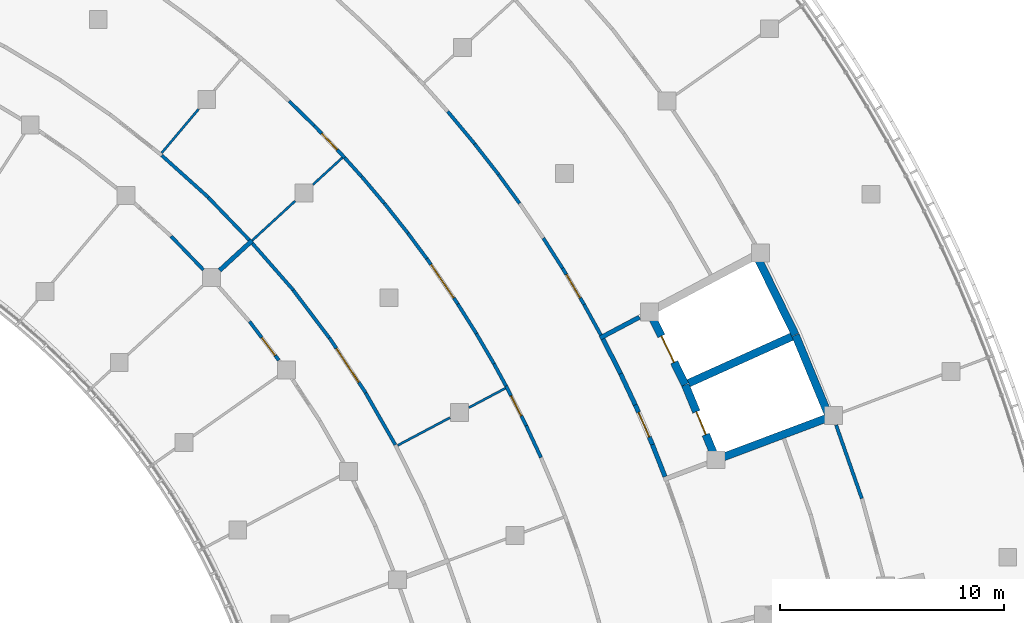
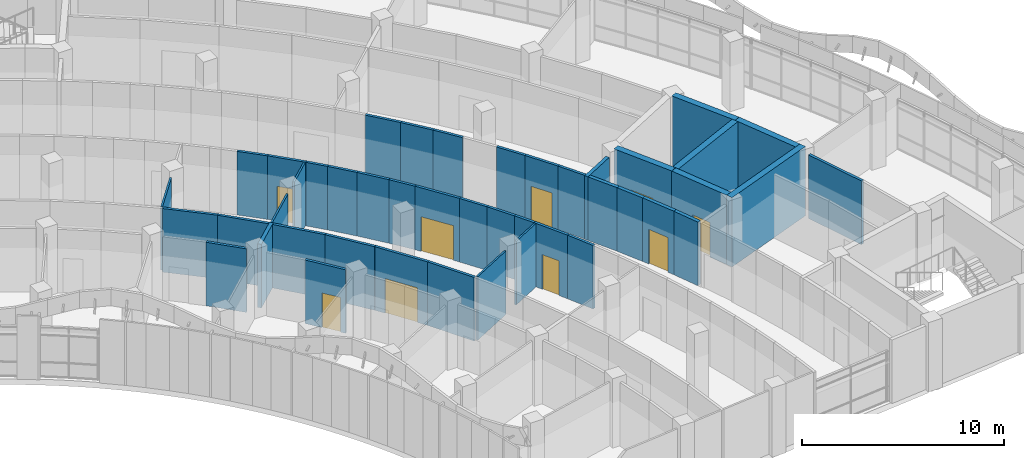
# One storey, part 49 of 109: 44 walls, 9 doors, 9 openings.
"""IFC4 building model written with IfcOpenShell, lengths in metres."""

import ifcopenshell
import ifcopenshell.guid

model = None  # the IFC model being written
_history = None  # IfcOwnerHistory: only IFC2X3 demands one
_inside = {}  # id of a spatial element -> (the spatial element, [elements in it])
_under = {}  # id of a project, library or spatial element -> (it, [spatial elements below it])
_declared = {}  # id of a project -> (the project, [libraries it declares])
_typed = {}  # id of a type object -> (the type object, [elements of that type])
_made_of = {}  # id of a material, layer set ... -> (it, [elements and type objects made of it])


def new_model(schema):
    """Start an empty IFC model of exactly this schema.

    Asked for "IFC4X3", IfcOpenShell would pick the latest addendum, in which some entities
    have other attributes; the version numbers below select the first issue.
    IFC2X3 requires an IfcOwnerHistory on every rooted entity: one is made here for all.
    """
    global model, _history
    if schema == "IFC4X3":
        model = ifcopenshell.file(schema_version=(4, 3, 0, 0))
    else:
        model = ifcopenshell.file(schema=schema)
    _inside.clear()
    _under.clear()
    _declared.clear()
    _typed.clear()
    _made_of.clear()
    _history = None
    if model.schema == "IFC2X3":
        org = make("IfcOrganization", Name="unknown")
        user = make(
            "IfcPersonAndOrganization",
            ThePerson=make("IfcPerson", FamilyName="unknown"),
            TheOrganization=org,
        )
        app = make(
            "IfcApplication",
            ApplicationDeveloper=org,
            Version="unknown",
            ApplicationFullName="unknown",
            ApplicationIdentifier="unknown",
        )
        _history = make(
            "IfcOwnerHistory",
            OwningUser=user,
            OwningApplication=app,
            ChangeAction="ADDED",
            CreationDate=0,
        )
    return model


def make(cls, **values):
    """One entity of the class cls with the attributes given. An attribute that is None is left unset."""
    return model.create_entity(
        cls, **{name: value for name, value in values.items() if value is not None}
    )


def rooted(cls, **values):
    """An entity with a GlobalId (a new one), such as an element, a storey or a relation."""
    return make(cls, GlobalId=ifcopenshell.guid.new(), OwnerHistory=_history, **values)


def si_unit(unit_type, name, prefix=None):
    """IfcSIUnit, for example si_unit("LENGTHUNIT", "METRE", prefix="MILLI")."""
    return make("IfcSIUnit", UnitType=unit_type, Prefix=prefix, Name=name)


def assignment(units):
    """IfcUnitAssignment: the units of a project."""
    return None if units is None else make("IfcUnitAssignment", Units=units)


def point(xyz):
    """IfcCartesianPoint."""
    return None if xyz is None else make("IfcCartesianPoint", Coordinates=xyz)


def direction(xyz):
    """IfcDirection."""
    return None if xyz is None else make("IfcDirection", DirectionRatios=xyz)


def frame(location, z_axis=None, x_axis=None):
    """IfcAxis2Placement3D, a coordinate frame: its origin and axes. An axis left out is left unset."""
    return make(
        "IfcAxis2Placement3D",
        Location=point(location),
        Axis=direction(z_axis),
        RefDirection=direction(x_axis),
    )


def frame_2d(location, x_axis=None):
    """IfcAxis2Placement2D, a coordinate frame in the plane: its origin and x axis."""
    return make(
        "IfcAxis2Placement2D", Location=point(location), RefDirection=direction(x_axis)
    )


def origin():
    """The frame at (0, 0, 0) with its axes left unset."""
    return frame((0.0, 0.0, 0.0))


def place(relative_to, where):
    """IfcLocalPlacement: puts the frame where relative to a parent placement (None: the world)."""
    return make(
        "IfcLocalPlacement", PlacementRelTo=relative_to, RelativePlacement=where
    )


def context(
    kind, dimensions, precision=None, world=None, true_north=None, identifier=None
):
    """IfcGeometricRepresentationContext, for example the 3D "Model" context."""
    return make(
        "IfcGeometricRepresentationContext",
        ContextIdentifier=identifier,
        ContextType=kind,
        CoordinateSpaceDimension=dimensions,
        Precision=precision,
        WorldCoordinateSystem=world,
        TrueNorth=true_north,
    )


def subcontext(parent, identifier, kind, view, scale=None):
    """IfcGeometricRepresentationSubContext, for example "Body" below "Model"."""
    return make(
        "IfcGeometricRepresentationSubContext",
        ContextIdentifier=identifier,
        ContextType=kind,
        ParentContext=parent,
        TargetScale=scale,
        TargetView=view,
    )


def project(units=None, contexts=None):
    """IfcProject with its units and contexts."""
    return rooted(
        "IfcProject",
        Name="project",
        RepresentationContexts=contexts,
        UnitsInContext=assignment(units),
    )


def spatial(cls, under=None, at=None, **own):
    """A site, building, storey or space (cls), placed at a placement, below another one or the project."""
    s = rooted(cls, ObjectPlacement=at, **own)
    if under is not None:
        _under.setdefault(under.id(), (under, []))[1].append(s)
    return s


def profile(cls, at=None, kind="AREA", **sizes):
    """A parametric profile (cls). Its sizes go by their IFC names, for example OverallWidth=200.0."""
    return make(cls, ProfileType=kind, Position=at, **sizes)


def rectangle(**sizes):
    """IfcRectangleProfileDef."""
    return profile("IfcRectangleProfileDef", **sizes)


def extrude(swept, where, along, depth):
    """IfcExtrudedAreaSolid: the profile swept, set in the frame where, extruded along a direction by depth."""
    return make(
        "IfcExtrudedAreaSolid",
        SweptArea=swept,
        Position=where,
        ExtrudedDirection=direction(along),
        Depth=depth,
    )


def shape(context_of_items, identifier, shape_type, items):
    """IfcShapeRepresentation: the items that make up one representation, for example the "Body"."""
    return make(
        "IfcShapeRepresentation",
        ContextOfItems=context_of_items,
        RepresentationIdentifier=identifier,
        RepresentationType=shape_type,
        Items=items,
    )


def material(Name=None, Category=None):
    """IfcMaterial."""
    return make("IfcMaterial", Name=Name, Category=Category)


def layer(
    of_material, thickness, ventilated=None, Name=None, Category=None, Priority=None
):
    """IfcMaterialLayer: one layer of a wall or slab, of a material (None: an air gap)."""
    return make(
        "IfcMaterialLayer",
        Material=of_material,
        LayerThickness=thickness,
        IsVentilated=ventilated,
        Name=Name,
        Category=Category,
        Priority=Priority,
    )


def layer_set(layers, Name=None):
    """IfcMaterialLayerSet."""
    return make("IfcMaterialLayerSet", MaterialLayers=layers, LayerSetName=Name)


def made_of(thing, what):
    """Note that an element or type object is made of a material, layer set ...; save() writes the relation."""
    if what is not None:
        _made_of.setdefault(what.id(), (what, []))[1].append(thing)
    return thing


def type_object(cls, material=None, **own):
    """A type object (cls), such as IfcWallType, which elements share."""
    return made_of(rooted(cls, **own), material)


def element(
    cls,
    number,
    at=None,
    inside=None,
    cuts=None,
    type_object=None,
    material=None,
    context=None,
    identifier="Body",
    shape_type=None,
    held_by="IfcProductDefinitionShape",
    body=None,
    shapes=None,
    **own,
):
    """One element of the class cls, such as IfcWall. Its Tag is "e" and its number.

    at: its placement. inside: the storey or other place that contains it. cuts: it is an
    opening in that element (IfcRelVoidsElement). A single representation is given by context,
    identifier, shape_type and body (its items); several are given by shapes. held_by: the class
    of the entity that holds the representations. save() writes the other relations.
    """
    e = rooted(cls, Tag="e%d" % number, ObjectPlacement=at, **own)
    if body is not None:
        shapes = [shape(context, identifier, shape_type, body)]
    if shapes is not None:
        e.Representation = make(held_by, Representations=shapes)
    if inside is not None:
        _inside.setdefault(inside.id(), (inside, []))[1].append(e)
    if cuts is not None:
        rooted(
            "IfcRelVoidsElement", RelatingBuildingElement=cuts, RelatedOpeningElement=e
        )
    if type_object is not None:
        _typed.setdefault(type_object.id(), (type_object, []))[1].append(e)
    return made_of(e, material)


def fill(opening, filler):
    """IfcRelFillsElement: the door or window that sits in an opening."""
    return rooted(
        "IfcRelFillsElement",
        RelatingOpeningElement=opening,
        RelatedBuildingElement=filler,
    )


def aggregate(whole, parts):
    """IfcRelAggregates: a whole, such as a stair, and the parts it consists of."""
    return rooted("IfcRelAggregates", RelatingObject=whole, RelatedObjects=parts)


def save(model, path):
    """Write the relations noted so far, then the file.

    IfcRelAggregates (storeys below a building ...), IfcRelContainedInSpatialStructure (elements
    in a storey), IfcRelDefinesByType, IfcRelAssociatesMaterial and IfcRelDeclares: one each for
    every whole, place, type object, material and project.
    """
    for whole, parts in _under.values():
        aggregate(whole, parts)
    for where, things in _inside.values():
        rooted(
            "IfcRelContainedInSpatialStructure",
            RelatedElements=things,
            RelatingStructure=where,
        )
    for kind, things in _typed.values():
        rooted("IfcRelDefinesByType", RelatedObjects=things, RelatingType=kind)
    for what, things in _made_of.values():
        rooted("IfcRelAssociatesMaterial", RelatedObjects=things, RelatingMaterial=what)
    for by, libraries in _declared.values():
        rooted("IfcRelDeclares", RelatingContext=by, RelatedDefinitions=libraries)
    model.write(path)


model = new_model("IFC4")

# Units and contexts
model_context = context("Model", 3, precision=1e-05, world=origin(), true_north=direction((0.0, 1.0)))
body_context = subcontext(model_context, "Body", "Model", "MODEL_VIEW")
ifc_project = project(units=[si_unit("LENGTHUNIT", "METRE"), si_unit("AREAUNIT", "SQUARE_METRE"), si_unit("VOLUMEUNIT", "CUBIC_METRE"), si_unit("PLANEANGLEUNIT", "RADIAN"), si_unit("MASSUNIT", "GRAM", prefix="KILO")], contexts=[model_context])

# Site, building, storey
site_placement = place(None, origin())
site = spatial("IfcSite", under=ifc_project, at=site_placement, CompositionType="ELEMENT")
building_placement = place(site_placement, origin())
building = spatial("IfcBuilding", under=site, at=building_placement, Name="Bougainvillea Quay General Hospital", CompositionType="ELEMENT")
storey_placement = place(building_placement, frame((0.0, 0.0, 12.60009765625)))
storey = spatial("IfcBuildingStorey", under=building, at=storey_placement, Name="L02", CompositionType="ELEMENT", Elevation=12.60009765625)

# Walls
ifc_material_1 = material(Name="Gypsum board partition on steel studs", Category="steel")
ifc_layer_1 = layer(ifc_material_1, 0.10009765625)
ifc_layer_set_1 = layer_set([ifc_layer_1], Name="Gypsum board partition on steel studs")
wall_type_1 = type_object("IfcWallType", Name="Partition 100 Gypsum board partition EI 30", PredefinedType="PARTITIONING", material=ifc_layer_set_1)
wall_1_placement = place(storey_placement, frame((141.64501953125, 51.797607421875, 0.0), z_axis=(0.0, 0.0, 1.0), x_axis=(0.73658314114, 0.676347008709, 0.0)))
element("IfcWall", 1, at=wall_1_placement, inside=storey, type_object=wall_type_1, Name="Partition 100 mm EI 30", PredefinedType="PARTITIONING", context=body_context, shape_type="SweptSolid", body=[
    extrude(rectangle(XDim=2.610107421875, YDim=0.10009765625, at=frame_2d((1.30517578125, 0.0))), origin(), (0.0, 0.0, 1.0), 3.849853515625),
])
wall_2_placement = place(storey_placement, frame((144.3603515625, 54.291015625, 0.0), z_axis=(0.0, 0.0, 1.0), x_axis=(0.736578706187, 0.676351838611, 0.0)))
element("IfcWall", 2, at=wall_2_placement, inside=storey, type_object=wall_type_1, Name="Partition 100 mm EI 30", PredefinedType="PARTITIONING", context=body_context, shape_type="SweptSolid", body=[
    extrude(rectangle(XDim=1.779541015625, YDim=0.10009765625, at=frame_2d((0.8896484375, 0.0))), origin(), (0.0, 0.0, 1.0), 3.849853515625),
])
wall_3_placement = place(storey_placement, frame((148.138671875, 42.65185546875, 0.0), z_axis=(0.0, 0.0, 1.0), x_axis=(0.883500310686, 0.468430572249, 0.0)))
element("IfcWall", 3, at=wall_3_placement, inside=storey, type_object=wall_type_1, Name="Partition 100 mm EI 30", PredefinedType="PARTITIONING", context=body_context, shape_type="SweptSolid", body=[
    extrude(rectangle(XDim=2.64453125, YDim=0.10009765625, at=frame_2d((1.322265625, 0.0))), origin(), (0.0, 0.0, 1.0), 3.849853515625),
])
wall_4_placement = place(storey_placement, frame((151.321044921875, 44.33935546875, 0.0), z_axis=(0.0, 0.0, 1.0), x_axis=(0.883507022745, 0.46841791251, 0.0)))
element("IfcWall", 4, at=wall_4_placement, inside=storey, type_object=wall_type_1, Name="Partition 100 mm EI 30", PredefinedType="PARTITIONING", context=body_context, shape_type="SweptSolid", body=[
    extrude(rectangle(XDim=1.84033203125, YDim=0.10009765625, at=frame_2d((0.920166015625, 0.0))), origin(), (0.0, 0.0, 1.0), 3.849853515625),
])
wall_5_placement = place(storey_placement, frame((137.60546875, 55.70361328125, 0.0), z_axis=(0.0, 0.0, 1.0), x_axis=(0.644432238292, 0.764661421971, 0.0)))
element("IfcWall", 5, at=wall_5_placement, inside=storey, type_object=wall_type_1, Name="Partition 100 mm EI 30", PredefinedType="PARTITIONING", context=body_context, shape_type="SweptSolid", body=[
    extrude(rectangle(XDim=2.560546875, YDim=0.10009765625, at=frame_2d((1.2802734375, 0.0))), origin(), (0.0, 0.0, 1.0), 3.849853515625),
])
ifc_material_2 = material(Name="Gypsum board partition on steel studs, insulated", Category="steel")
ifc_layer_2 = layer(ifc_material_2, 0.14990234375)
ifc_layer_set_2 = layer_set([ifc_layer_2], Name="Gypsum board partition on steel studs, insulated")
wall_type_2 = type_object("IfcWallType", Name="Partition 150 Gypsum board partition EI 30", PredefinedType="PARTITIONING", material=ifc_layer_set_2)
wall_6_placement = place(storey_placement, frame((167.711181640625, 43.55859375, 0.0), z_axis=(0.0, 0.0, 1.0), x_axis=(0.330491338893, -0.9438090246, 0.0)))
element("IfcWall", 6, at=wall_6_placement, inside=storey, type_object=wall_type_2, Name="Partition 150 mm EI 30", PredefinedType="PARTITIONING", context=body_context, shape_type="SweptSolid", body=[
    extrude(rectangle(XDim=3.47265625, YDim=0.14990234375, at=frame_2d((1.736328125, 0.0))), origin(), (0.0, 0.0, 1.0), 3.849853515625),
])

# Wall, opening, door
wall_7_placement = place(storey_placement, frame((145.089599609375, 47.45849609375, 0.0), z_axis=(0.0, 0.0, 1.0), x_axis=(0.551018151494, -0.834493257447, 0.0)))
wall_7 = element("IfcWall", 7, at=wall_7_placement, inside=storey, type_object=wall_type_2, Name="Partition 150 mm EI 30", PredefinedType="PARTITIONING", context=body_context, shape_type="SweptSolid", body=[
    extrude(rectangle(XDim=2.95751953125, YDim=0.14990234375, at=frame_2d((1.478759765625, 0.0))), origin(), (0.0, 0.0, 1.0), 3.849853515625),
])
opening_1_placement = place(wall_7_placement, frame((0.578857421875, 0.0, 0.0)))
opening_1 = element("IfcOpeningElement", 8, at=opening_1_placement, cuts=wall_7, Name="Opening L02.185", PredefinedType="OPENING", context=body_context, shape_type="SweptSolid", body=[
    extrude(rectangle(XDim=1.800048828125, YDim=2.10009765625, at=frame_2d((0.89990234375, 1.050048828125))), frame((0.0, 0.0849609375, 0.0), z_axis=(0.0, -1.0, 0.0), x_axis=(1.0, 0.0, 0.0)), (0.0, 0.0, 1.0), 0.169921875),
])
ifc_material_3 = material(Name="Solid-core timber door leaves in steel frame", Category="steel")
door_type_1 = type_object("IfcDoorType", Name="Double leaf door 1800x2100", OperationType="DOUBLE_DOOR_SINGLE_SWING", PredefinedType="DOOR", material=ifc_material_3)
door_1_placement = place(opening_1_placement, frame((1.800048828125, 0.0, 0.0), z_axis=(0.0, 0.0, 1.0), x_axis=(-1.0, 0.0, 0.0)))
door_1 = element("IfcDoor", 9, at=door_1_placement, inside=storey, type_object=door_type_1, Name="DT08 L02.185", OperationType="DOUBLE_DOOR_SINGLE_SWING", OverallHeight=2.10009765625, OverallWidth=1.800048828125, PredefinedType="DOOR", context=body_context, shape_type="SweptSolid", body=[
    extrude(rectangle(XDim=1.800048828125, YDim=2.10009765625, at=frame_2d((0.89990234375, 1.050048828125))), frame((0.0, 0.02490234375, 0.0), z_axis=(0.0, -1.0, 0.0), x_axis=(1.0, 0.0, 0.0)), (0.0, 0.0, 1.0), 0.050048828125),
])
fill(opening_1, door_1)

# Walls
wall_8_placement = place(storey_placement, frame((146.712890625, 44.991943359375, 0.0), z_axis=(0.0, 0.0, 1.0), x_axis=(0.49622768999, -0.868192420888, 0.0)))
element("IfcWall", 10, at=wall_8_placement, inside=storey, type_object=wall_type_2, Name="Partition 150 mm EI 30", PredefinedType="PARTITIONING", context=body_context, shape_type="SweptSolid", body=[
    extrude(rectangle(XDim=2.666015625, YDim=0.14990234375, at=frame_2d((1.3330078125, 0.0))), origin(), (0.0, 0.0, 1.0), 3.849853515625),
])
wall_9_placement = place(storey_placement, frame((141.656005859375, 51.66943359375, 0.0), z_axis=(0.0, 0.0, 1.0), x_axis=(0.659076402407, -0.752075990702, 0.0)))
element("IfcWall", 11, at=wall_9_placement, inside=storey, type_object=wall_type_2, Name="Partition 150 mm EI 30", PredefinedType="PARTITIONING", context=body_context, shape_type="SweptSolid", body=[
    extrude(rectangle(XDim=2.780029296875, YDim=0.14990234375, at=frame_2d((1.39013671875, 0.0))), origin(), (0.0, 0.0, 1.0), 3.849853515625),
])
wall_10_placement = place(storey_placement, frame((137.6083984375, 55.597900390625, 0.0), z_axis=(0.0, 0.0, 1.0), x_axis=(0.743501368773, -0.668734412628, 0.0)))
element("IfcWall", 12, at=wall_10_placement, inside=storey, type_object=wall_type_2, Name="Partition 150 mm EI 30", PredefinedType="PARTITIONING", context=body_context, shape_type="SweptSolid", body=[
    extrude(rectangle(XDim=2.8115234375, YDim=0.14990234375, at=frame_2d((1.40576171875, 0.0))), origin(), (0.0, 0.0, 1.0), 3.849853515625),
])
wall_11_placement = place(storey_placement, frame((143.481201171875, 49.579345703125, 0.0), z_axis=(0.0, 0.0, 1.0), x_axis=(0.602824021104, -0.797874175281, 0.0)))
element("IfcWall", 13, at=wall_11_placement, inside=storey, type_object=wall_type_2, Name="Partition 150 mm EI 30", PredefinedType="PARTITIONING", context=body_context, shape_type="SweptSolid", body=[
    extrude(rectangle(XDim=2.666015625, YDim=0.14990234375, at=frame_2d((1.3330078125, 0.0))), origin(), (0.0, 0.0, 1.0), 3.849853515625),
])
wall_12_placement = place(storey_placement, frame((139.69140625, 53.717529296875, 0.0), z_axis=(0.0, 0.0, 1.0), x_axis=(0.693447550136, -0.720507109757, 0.0)))
element("IfcWall", 14, at=wall_12_placement, inside=storey, type_object=wall_type_2, Name="Partition 150 mm EI 30", PredefinedType="PARTITIONING", context=body_context, shape_type="SweptSolid", body=[
    extrude(rectangle(XDim=2.634521484375, YDim=0.14990234375, at=frame_2d((1.3173828125, 0.0))), origin(), (0.0, 0.0, 1.0), 3.849853515625),
])

# Wall, opening, door
wall_13_placement = place(storey_placement, frame((141.52587890625, 48.187744140625, 0.0), z_axis=(0.0, 0.0, 1.0), x_axis=(0.60280129331, -0.797891346477, 0.0)))
wall_13 = element("IfcWall", 15, at=wall_13_placement, inside=storey, type_object=wall_type_2, Name="Partition 150 mm EI 30", PredefinedType="PARTITIONING", context=body_context, shape_type="SweptSolid", body=[
    extrude(rectangle(XDim=2.17236328125, YDim=0.14990234375, at=frame_2d((1.086181640625, 0.0))), origin(), (0.0, 0.0, 1.0), 3.849853515625),
])
opening_2_placement = place(wall_13_placement, frame((0.902099609375, 0.0, 0.0)))
opening_2 = element("IfcOpeningElement", 16, at=opening_2_placement, cuts=wall_13, Name="Opening L02.231", PredefinedType="OPENING", context=body_context, shape_type="SweptSolid", body=[
    extrude(rectangle(XDim=1.0, YDim=2.10009765625, at=frame_2d((0.5, 1.050048828125))), frame((0.0, 0.0849609375, 0.0), z_axis=(0.0, -1.0, 0.0), x_axis=(1.0, 0.0, 0.0)), (0.0, 0.0, 1.0), 0.169921875),
])
ifc_material_4 = material(Name="Solid-core timber door leaf in steel frame", Category="steel")
door_type_2 = type_object("IfcDoorType", Name="Single leaf door 1000x2100 FD30S", OperationType="NOTDEFINED", PredefinedType="DOOR", material=ifc_material_4)
door_2_placement = place(opening_2_placement, frame((1.0, 0.0, 0.0), z_axis=(0.0, 0.0, 1.0), x_axis=(-1.0, 0.0, 0.0)))
door_2 = element("IfcDoor", 17, at=door_2_placement, inside=storey, type_object=door_type_2, Name="DT15 L02.231", OperationType="SINGLE_SWING_LEFT", OverallHeight=2.10009765625, OverallWidth=1.0, PredefinedType="DOOR", context=body_context, shape_type="SweptSolid", body=[
    extrude(rectangle(XDim=1.0, YDim=2.10009765625, at=frame_2d((0.5, 1.050048828125))), frame((0.0, 0.02490234375, 0.0), z_axis=(0.0, -1.0, 0.0), x_axis=(1.0, 0.0, 0.0)), (0.0, 0.0, 1.0), 0.050048828125),
])
fill(opening_2, door_2)

# Wall
wall_14_placement = place(storey_placement, frame((138.031494140625, 51.984619140625, 0.0), z_axis=(0.0, 0.0, 1.0), x_axis=(0.693216793474, -0.7207291289, 0.0)))
element("IfcWall", 18, at=wall_14_placement, inside=storey, type_object=wall_type_2, Name="Partition 150 mm EI 30", PredefinedType="PARTITIONING", context=body_context, shape_type="SweptSolid", body=[
    extrude(rectangle(XDim=2.076416015625, YDim=0.14990234375, at=frame_2d((1.0380859375, 0.0))), origin(), (0.0, 0.0, 1.0), 3.849853515625),
])

# Wall, opening, door
wall_15_placement = place(storey_placement, frame((149.442626953125, 50.989990234375, 0.0), z_axis=(0.0, 0.0, 1.0), x_axis=(0.564305795339, -0.825565847977, 0.0)))
wall_15 = element("IfcWall", 19, at=wall_15_placement, inside=storey, type_object=wall_type_2, Name="Partition 150 mm EI 30", PredefinedType="PARTITIONING", context=body_context, shape_type="SweptSolid", body=[
    extrude(rectangle(XDim=2.453857421875, YDim=0.14990234375, at=frame_2d((1.22705078125, 0.0))), origin(), (0.0, 0.0, 1.0), 3.849853515625),
])
opening_3_placement = place(wall_15_placement, frame((0.326904296875, 0.0, 0.0)))
opening_3 = element("IfcOpeningElement", 20, at=opening_3_placement, cuts=wall_15, Name="Opening L02.199", PredefinedType="OPENING", context=body_context, shape_type="SweptSolid", body=[
    extrude(rectangle(XDim=1.800048828125, YDim=2.10009765625, at=frame_2d((0.89990234375, 1.050048828125))), frame((0.0, 0.0849609375, 0.0), z_axis=(0.0, -1.0, 0.0), x_axis=(1.0, 0.0, 0.0)), (0.0, 0.0, 1.0), 0.169921875),
])
door_3_placement = place(opening_3_placement, origin())
door_3 = element("IfcDoor", 21, at=door_3_placement, inside=storey, type_object=door_type_1, Name="DT08 L02.199", OperationType="DOUBLE_DOOR_SINGLE_SWING", OverallHeight=2.10009765625, OverallWidth=1.800048828125, PredefinedType="DOOR", context=body_context, shape_type="SweptSolid", body=[
    extrude(rectangle(XDim=1.800048828125, YDim=2.10009765625, at=frame_2d((0.89990234375, 1.050048828125))), frame((0.0, 0.02490234375, 0.0), z_axis=(0.0, -1.0, 0.0), x_axis=(1.0, 0.0, 0.0)), (0.0, 0.0, 1.0), 0.050048828125),
])
fill(opening_3, door_3)

wall_16_placement = place(storey_placement, frame((152.97998046875, 45.303955078125, 0.0), z_axis=(0.0, 0.0, 1.0), x_axis=(0.45308978769, -0.89146488674, 0.0)))
wall_16 = element("IfcWall", 22, at=wall_16_placement, inside=storey, type_object=wall_type_2, Name="Partition 150 mm EI 30", PredefinedType="PARTITIONING", context=body_context, shape_type="SweptSolid", body=[
    extrude(rectangle(XDim=1.990966796875, YDim=0.14990234375, at=frame_2d((0.99560546875, 0.0))), origin(), (0.0, 0.0, 1.0), 3.849853515625),
])
opening_4_placement = place(wall_16_placement, frame((0.495361328125, 0.0, 0.0)))
opening_4 = element("IfcOpeningElement", 23, at=opening_4_placement, cuts=wall_16, Name="Opening L02.230", PredefinedType="OPENING", context=body_context, shape_type="SweptSolid", body=[
    extrude(rectangle(XDim=1.0, YDim=2.10009765625, at=frame_2d((0.5, 1.050048828125))), frame((0.0, 0.0849609375, 0.0), z_axis=(0.0, -1.0, 0.0), x_axis=(1.0, 0.0, 0.0)), (0.0, 0.0, 1.0), 0.169921875),
])
door_4_placement = place(opening_4_placement, frame((1.0, 0.0, 0.0), z_axis=(0.0, 0.0, 1.0), x_axis=(-1.0, 0.0, 0.0)))
door_4 = element("IfcDoor", 24, at=door_4_placement, inside=storey, type_object=door_type_2, Name="DT15 L02.230", OperationType="SINGLE_SWING_RIGHT", OverallHeight=2.10009765625, OverallWidth=1.0, PredefinedType="DOOR", context=body_context, shape_type="SweptSolid", body=[
    extrude(rectangle(XDim=1.0, YDim=2.10009765625, at=frame_2d((0.5, 1.050048828125))), frame((0.0, 0.02490234375, 0.0), z_axis=(0.0, -1.0, 0.0), x_axis=(1.0, 0.0, 0.0)), (0.0, 0.0, 1.0), 0.050048828125),
])
fill(opening_4, door_4)

wall_17_placement = place(storey_placement, frame((144.408203125, 56.933349609375, 0.0), z_axis=(0.0, 0.0, 1.0), x_axis=(0.689023586461, -0.724738916646, 0.0)))
wall_17 = element("IfcWall", 25, at=wall_17_placement, inside=storey, type_object=wall_type_2, Name="Partition 150 mm EI 30", PredefinedType="PARTITIONING", context=body_context, shape_type="SweptSolid", body=[
    extrude(rectangle(XDim=1.9892578125, YDim=0.14990234375, at=frame_2d((0.99462890625, 0.0))), origin(), (0.0, 0.0, 1.0), 3.849853515625),
])
opening_5_placement = place(wall_17_placement, frame((0.494384765625, 0.0, 0.0)))
opening_5 = element("IfcOpeningElement", 26, at=opening_5_placement, cuts=wall_17, Name="Opening L02.226", PredefinedType="OPENING", context=body_context, shape_type="SweptSolid", body=[
    extrude(rectangle(XDim=1.0, YDim=2.10009765625, at=frame_2d((0.5, 1.050048828125))), frame((0.0, 0.0849609375, 0.0), z_axis=(0.0, -1.0, 0.0), x_axis=(1.0, 0.0, 0.0)), (0.0, 0.0, 1.0), 0.169921875),
])
door_5_placement = place(opening_5_placement, frame((1.0, 0.0, 0.0), z_axis=(0.0, 0.0, 1.0), x_axis=(-1.0, 0.0, 0.0)))
door_5 = element("IfcDoor", 27, at=door_5_placement, inside=storey, type_object=door_type_2, Name="DT15 L02.226", OperationType="SINGLE_SWING_LEFT", OverallHeight=2.10009765625, OverallWidth=1.0, PredefinedType="DOOR", context=body_context, shape_type="SweptSolid", body=[
    extrude(rectangle(XDim=1.0, YDim=2.10009765625, at=frame_2d((0.5, 1.050048828125))), frame((0.0, 0.02490234375, 0.0), z_axis=(0.0, -1.0, 0.0), x_axis=(1.0, 0.0, 0.0)), (0.0, 0.0, 1.0), 0.050048828125),
])
fill(opening_5, door_5)

wall_18_placement = place(storey_placement, frame((155.497802734375, 50.56640625, 0.0), z_axis=(0.0, 0.0, 1.0), x_axis=(0.510320389621, -0.859984360287, 0.0)))
wall_18 = element("IfcWall", 28, at=wall_18_placement, inside=storey, type_object=wall_type_2, Name="Partition 150 mm EI 30", PredefinedType="PARTITIONING", context=body_context, shape_type="SweptSolid", body=[
    extrude(rectangle(XDim=1.885986328125, YDim=0.14990234375, at=frame_2d((0.94287109375, 0.0))), origin(), (0.0, 0.0, 1.0), 3.849853515625),
])
opening_6_placement = place(wall_18_placement, frame((0.343017578125, 0.0, 0.0)))
opening_6 = element("IfcOpeningElement", 29, at=opening_6_placement, cuts=wall_18, Name="Opening L02.196", PredefinedType="OPENING", context=body_context, shape_type="SweptSolid", body=[
    extrude(rectangle(XDim=1.199951171875, YDim=2.10009765625, at=frame_2d((0.60009765625, 1.050048828125))), frame((0.0, 0.0849609375, 0.0), z_axis=(0.0, -1.0, 0.0), x_axis=(1.0, 0.0, 0.0)), (0.0, 0.0, 1.0), 0.169921875),
])
door_type_3 = type_object("IfcDoorType", Name="Single leaf door 1200x2100", OperationType="NOTDEFINED", PredefinedType="DOOR", material=ifc_material_4)
door_6_placement = place(opening_6_placement, frame((1.199951171875, 0.0, 0.0), z_axis=(0.0, 0.0, 1.0), x_axis=(-1.0, 0.0, 0.0)))
door_6 = element("IfcDoor", 30, at=door_6_placement, inside=storey, type_object=door_type_3, Name="DT13 L02.196", OperationType="SINGLE_SWING_RIGHT", OverallHeight=2.10009765625, OverallWidth=1.199951171875, PredefinedType="DOOR", context=body_context, shape_type="SweptSolid", body=[
    extrude(rectangle(XDim=1.199951171875, YDim=2.10009765625, at=frame_2d((0.60009765625, 1.050048828125))), frame((0.0, 0.02490234375, 0.0), z_axis=(0.0, -1.0, 0.0), x_axis=(1.0, 0.0, 0.0)), (0.0, 0.0, 1.0), 0.050048828125),
])
fill(opening_6, door_6)

# Walls
wall_19_placement = place(storey_placement, frame((150.3720703125, 57.5576171875, 0.0), z_axis=(0.0, 0.0, 1.0), x_axis=(0.640540861144, -0.767924088178, 0.0)))
element("IfcWall", 31, at=wall_19_placement, inside=storey, type_object=wall_type_2, Name="Partition 150 mm EI 30", PredefinedType="PARTITIONING", context=body_context, shape_type="SweptSolid", body=[
    extrude(rectangle(XDim=1.885986328125, YDim=0.14990234375, at=frame_2d((0.94287109375, 0.0))), origin(), (0.0, 0.0, 1.0), 3.849853515625),
])
wall_20_placement = place(storey_placement, frame((151.57666015625, 56.109619140625, 0.0), z_axis=(0.0, 0.0, 1.0), x_axis=(0.615485903982, -0.788147893481, 0.0)))
element("IfcWall", 32, at=wall_20_placement, inside=storey, type_object=wall_type_2, Name="Partition 150 mm EI 30", PredefinedType="PARTITIONING", context=body_context, shape_type="SweptSolid", body=[
    extrude(rectangle(XDim=1.73779296875, YDim=0.14990234375, at=frame_2d((0.868896484375, 0.0))), origin(), (0.0, 0.0, 1.0), 3.849853515625),
])
wall_21_placement = place(storey_placement, frame((152.642822265625, 54.740234375, 0.0), z_axis=(0.0, 0.0, 1.0), x_axis=(0.590151339463, -0.807292633764, 0.0)))
element("IfcWall", 33, at=wall_21_placement, inside=storey, type_object=wall_type_2, Name="Partition 150 mm EI 30", PredefinedType="PARTITIONING", context=body_context, shape_type="SweptSolid", body=[
    extrude(rectangle(XDim=1.58984375, YDim=0.14990234375, at=frame_2d((0.794921875, 0.0))), origin(), (0.0, 0.0, 1.0), 3.849853515625),
])
wall_22_placement = place(storey_placement, frame((156.45703125, 48.9453125, 0.0), z_axis=(0.0, 0.0, 1.0), x_axis=(0.482411223267, -0.875944867937, 0.0)))
element("IfcWall", 34, at=wall_22_placement, inside=storey, type_object=wall_type_2, Name="Partition 150 mm EI 30", PredefinedType="PARTITIONING", context=body_context, shape_type="SweptSolid", body=[
    extrude(rectangle(XDim=1.560302734375, YDim=0.14990234375, at=frame_2d((0.7802734375, 0.0))), origin(), (0.0, 0.0, 1.0), 3.849853515625),
])
wall_23_placement = place(storey_placement, frame((154.64208984375, 51.90380859375, 0.0), z_axis=(0.0, 0.0, 1.0), x_axis=(0.537610565613, -0.843193263577, 0.0)))
element("IfcWall", 35, at=wall_23_placement, inside=storey, type_object=wall_type_2, Name="Partition 150 mm EI 30", PredefinedType="PARTITIONING", context=body_context, shape_type="SweptSolid", body=[
    extrude(rectangle(XDim=1.58984375, YDim=0.14990234375, at=frame_2d((0.794921875, 0.0))), origin(), (0.0, 0.0, 1.0), 3.849853515625),
])
wall_24_placement = place(storey_placement, frame((150.823486328125, 48.96484375, 0.0), z_axis=(0.0, 0.0, 1.0), x_axis=(0.531963557529, -0.846767248694, 0.0)))
element("IfcWall", 36, at=wall_24_placement, inside=storey, type_object=wall_type_2, Name="Partition 150 mm EI 30", PredefinedType="PARTITIONING", context=body_context, shape_type="SweptSolid", body=[
    extrude(rectangle(XDim=1.562744140625, YDim=0.14990234375, at=frame_2d((0.78125, 0.0))), origin(), (0.0, 0.0, 1.0), 3.849853515625),
])
wall_25_placement = place(storey_placement, frame((147.54150390625, 53.4619140625, 0.0), z_axis=(0.0, 0.0, 1.0), x_axis=(0.620542012859, -0.784173201708, 0.0)))
element("IfcWall", 37, at=wall_25_placement, inside=storey, type_object=wall_type_2, Name="Partition 150 mm EI 30", PredefinedType="PARTITIONING", context=body_context, shape_type="SweptSolid", body=[
    extrude(rectangle(XDim=1.7099609375, YDim=0.14990234375, at=frame_2d((0.85498046875, 0.0))), origin(), (0.0, 0.0, 1.0), 3.849853515625),
])
wall_26_placement = place(storey_placement, frame((143.29248046875, 58.0224609375, 0.0), z_axis=(0.0, 0.0, 1.0), x_axis=(0.714415993139, -0.699721222164, 0.0)))
element("IfcWall", 38, at=wall_26_placement, inside=storey, type_object=wall_type_2, Name="Partition 150 mm EI 30", PredefinedType="PARTITIONING", context=body_context, shape_type="SweptSolid", body=[
    extrude(rectangle(XDim=1.561767578125, YDim=0.14990234375, at=frame_2d((0.78076171875, 0.0))), origin(), (0.0, 0.0, 1.0), 3.849853515625),
])
wall_27_placement = place(storey_placement, frame((151.651611328125, 47.64208984375, 0.0), z_axis=(0.0, 0.0, 1.0), x_axis=(0.504852542481, -0.863205601436, 0.0)))
element("IfcWall", 39, at=wall_27_placement, inside=storey, type_object=wall_type_2, Name="Partition 150 mm EI 30", PredefinedType="PARTITIONING", context=body_context, shape_type="SweptSolid", body=[
    extrude(rectangle(XDim=1.5615234375, YDim=0.14990234375, at=frame_2d((0.78076171875, 0.0))), origin(), (0.0, 0.0, 1.0), 3.849853515625),
])
wall_28_placement = place(storey_placement, frame((153.87841796875, 43.5302734375, 0.0), z_axis=(0.0, 0.0, 1.0), x_axis=(0.421455751704, -0.906848967224, 0.0)))
element("IfcWall", 40, at=wall_28_placement, inside=storey, type_object=wall_type_2, Name="Partition 150 mm EI 30", PredefinedType="PARTITIONING", context=body_context, shape_type="SweptSolid", body=[
    extrude(rectangle(XDim=1.561767578125, YDim=0.14990234375, at=frame_2d((0.78076171875, 0.0))), origin(), (0.0, 0.0, 1.0), 3.849853515625),
])
wall_29_placement = place(storey_placement, frame((148.599365234375, 52.12158203125, 0.0), z_axis=(0.0, 0.0, 1.0), x_axis=(0.595875663086, -0.803076705017, 0.0)))
element("IfcWall", 41, at=wall_29_placement, inside=storey, type_object=wall_type_2, Name="Partition 150 mm EI 30", PredefinedType="PARTITIONING", context=body_context, shape_type="SweptSolid", body=[
    extrude(rectangle(XDim=1.413818359375, YDim=0.14990234375, at=frame_2d((0.70703125, 0.0))), origin(), (0.0, 0.0, 1.0), 3.849853515625),
])
wall_30_placement = place(storey_placement, frame((146.53369140625, 54.6513671875, 0.0), z_axis=(0.0, 0.0, 1.0), x_axis=(0.645184874707, -0.764026490018, 0.0)))
element("IfcWall", 42, at=wall_30_placement, inside=storey, type_object=wall_type_2, Name="Partition 150 mm EI 30", PredefinedType="PARTITIONING", context=body_context, shape_type="SweptSolid", body=[
    extrude(rectangle(XDim=1.561279296875, YDim=0.14990234375, at=frame_2d((0.78076171875, 0.0))), origin(), (0.0, 0.0, 1.0), 3.849853515625),
])
wall_31_placement = place(storey_placement, frame((145.775634765625, 55.49169921875, 0.0), z_axis=(0.0, 0.0, 1.0), x_axis=(0.668310227337, -0.743882678946, 0.0)))
element("IfcWall", 43, at=wall_31_placement, inside=storey, type_object=wall_type_2, Name="Partition 150 mm EI 30", PredefinedType="PARTITIONING", context=body_context, shape_type="SweptSolid", body=[
    extrude(rectangle(XDim=1.134033203125, YDim=0.14990234375, at=frame_2d((0.56689453125, 0.0))), origin(), (0.0, 0.0, 1.0), 3.849853515625),
])
wall_32_placement = place(storey_placement, frame((152.43701171875, 46.294921875, 0.0), z_axis=(0.0, 0.0, 1.0), x_axis=(0.478761469216, -0.877945018549, 0.0)))
element("IfcWall", 44, at=wall_32_placement, inside=storey, type_object=wall_type_2, Name="Partition 150 mm EI 30", PredefinedType="PARTITIONING", context=body_context, shape_type="SweptSolid", body=[
    extrude(rectangle(XDim=1.132080078125, YDim=0.14990234375, at=frame_2d((0.56591796875, 0.0))), origin(), (0.0, 0.0, 1.0), 3.849853515625),
])
ifc_material_5 = material(Name="Fire-rated autoclaved aerated block wall, plastered")
ifc_layer_3 = layer(ifc_material_5, 0.199951171875)
ifc_layer_set_3 = layer_set([ifc_layer_3], Name="Fire-rated autoclaved aerated block wall, plastered")
wall_type_3 = type_object("IfcWallType", Name="Partition 200 Fire-rated autoclaved aerated block wall EI 120", PredefinedType="SOLIDWALL", material=ifc_layer_set_3)
wall_33_placement = place(storey_placement, frame((157.170654296875, 47.442138671875, 0.0), z_axis=(0.0, 0.0, 1.0), x_axis=(0.883475149074, 0.468478026133, 0.0)))
element("IfcWall", 45, at=wall_33_placement, inside=storey, type_object=wall_type_3, Name="Partition 200 mm EI 120", PredefinedType="SOLIDWALL", context=body_context, shape_type="SweptSolid", body=[
    extrude(rectangle(XDim=1.994873046875, YDim=0.199951171875, at=frame_2d((0.99755859375, 0.0))), origin(), (0.0, 0.0, 1.0), 3.849853515625),
])
wall_34_placement = place(storey_placement, frame((140.1962890625, 50.466796875, 0.0), z_axis=(0.0, 0.0, 1.0), x_axis=(0.736519787736, 0.676415997943, 0.0)))
element("IfcWall", 46, at=wall_34_placement, inside=storey, type_object=wall_type_3, Name="Partition 200 mm EI 120", PredefinedType="SOLIDWALL", context=body_context, shape_type="SweptSolid", body=[
    extrude(rectangle(XDim=1.966064453125, YDim=0.199951171875, at=frame_2d((0.98291015625, 0.0))), origin(), (0.0, 0.0, 1.0), 3.849853515625),
])

# Wall, opening, door
wall_35_placement = place(storey_placement, frame((158.747314453125, 44.46484375, 0.0), z_axis=(0.0, 0.0, 1.0), x_axis=(0.396322487651, -0.918111368943, 0.0)))
wall_35 = element("IfcWall", 47, at=wall_35_placement, inside=storey, type_object=wall_type_3, Name="Partition 200 mm EI 120", PredefinedType="SOLIDWALL", context=body_context, shape_type="SweptSolid", body=[
    extrude(rectangle(XDim=1.93603515625, YDim=0.199951171875, at=frame_2d((0.968017578125, 0.0))), origin(), (0.0, 0.0, 1.0), 3.849853515625),
])
opening_7_placement = place(wall_35_placement, frame((0.3681640625, 0.0, 0.0)))
opening_7 = element("IfcOpeningElement", 48, at=opening_7_placement, cuts=wall_35, Name="Opening L02.188", PredefinedType="OPENING", context=body_context, shape_type="SweptSolid", body=[
    extrude(rectangle(XDim=1.199951171875, YDim=2.10009765625, at=frame_2d((0.60009765625, 1.050048828125))), frame((0.0, 0.10986328125, 0.0), z_axis=(0.0, -1.0, 0.0), x_axis=(1.0, 0.0, 0.0)), (0.0, 0.0, 1.0), 0.219970703125),
])
door_type_4 = type_object("IfcDoorType", Name="Single leaf door 1200x2100 FD60", OperationType="NOTDEFINED", PredefinedType="DOOR", material=ifc_material_4)
door_7_placement = place(opening_7_placement, origin())
door_7 = element("IfcDoor", 49, at=door_7_placement, inside=storey, type_object=door_type_4, Name="DT12 L02.188", OperationType="SINGLE_SWING_LEFT", OverallHeight=2.10009765625, OverallWidth=1.199951171875, PredefinedType="DOOR", context=body_context, shape_type="SweptSolid", body=[
    extrude(rectangle(XDim=1.199951171875, YDim=2.10009765625, at=frame_2d((0.60009765625, 1.050048828125))), frame((0.0, 0.02490234375, 0.0), z_axis=(0.0, -1.0, 0.0), x_axis=(1.0, 0.0, 0.0)), (0.0, 0.0, 1.0), 0.050048828125),
])
fill(opening_7, door_7)

# Walls
wall_36_placement = place(storey_placement, frame((157.30517578125, 47.398681640625, 0.0), z_axis=(0.0, 0.0, 1.0), x_axis=(0.454575201636, -0.890708361955, 0.0)))
element("IfcWall", 50, at=wall_36_placement, inside=storey, type_object=wall_type_3, Name="Partition 200 mm EI 120", PredefinedType="SOLIDWALL", context=body_context, shape_type="SweptSolid", body=[
    extrude(rectangle(XDim=1.734130859375, YDim=0.199951171875, at=frame_2d((0.8671875, 0.0))), origin(), (0.0, 0.0, 1.0), 3.849853515625),
])
wall_37_placement = place(storey_placement, frame((158.08935546875, 45.855224609375, 0.0), z_axis=(0.0, 0.0, 1.0), x_axis=(0.42579703633, -0.904818702201, 0.0)))
element("IfcWall", 51, at=wall_37_placement, inside=storey, type_object=wall_type_3, Name="Partition 200 mm EI 120", PredefinedType="SOLIDWALL", context=body_context, shape_type="SweptSolid", body=[
    extrude(rectangle(XDim=1.541259765625, YDim=0.199951171875, at=frame_2d((0.7705078125, 0.0))), origin(), (0.0, 0.0, 1.0), 3.849853515625),
])
wall_38_placement = place(storey_placement, frame((159.510498046875, 42.688720703125, 0.0), z_axis=(0.0, 0.0, 1.0), x_axis=(0.367195475631, -0.930143796773, 0.0)))
element("IfcWall", 52, at=wall_38_placement, inside=storey, type_object=wall_type_3, Name="Partition 200 mm EI 120", PredefinedType="SOLIDWALL", context=body_context, shape_type="SweptSolid", body=[
    extrude(rectangle(XDim=1.53662109375, YDim=0.199951171875, at=frame_2d((0.768310546875, 0.0))), origin(), (0.0, 0.0, 1.0), 3.849853515625),
])

# Wall, opening, door
ifc_material_6 = material(Name="Concrete C40", Category="concrete")
ifc_layer_4 = layer(ifc_material_6, 0.35009765625)
ifc_layer_set_4 = layer_set([ifc_layer_4], Name="Concrete C40")
wall_type_4 = type_object("IfcWallType", Name="RC SHEAR WALL 350 C40", PredefinedType="SHEAR", material=ifc_layer_set_4)
wall_39_placement = place(storey_placement, frame((159.4560546875, 48.455810546875, 0.0), z_axis=(0.0, 0.0, 1.0), x_axis=(0.440221126053, -0.89788939195, 0.0)))
wall_39 = element("IfcWall", 53, at=wall_39_placement, inside=storey, type_object=wall_type_4, Name="Shear wall L02", PredefinedType="SHEAR", context=body_context, shape_type="SweptSolid", body=[
    extrude(rectangle(XDim=3.4423828125, YDim=0.35009765625, at=frame_2d((1.72119140625, 0.0))), origin(), (0.0, 0.0, 1.0), 4.199951171875),
])
opening_8_placement = place(wall_39_placement, frame((1.031005859375, 0.0, 0.0)))
opening_8 = element("IfcOpeningElement", 54, at=opening_8_placement, cuts=wall_39, Name="Opening LD-E1.1-L02", PredefinedType="OPENING", context=body_context, shape_type="SweptSolid", body=[
    extrude(rectangle(XDim=1.300048828125, YDim=2.10009765625, at=frame_2d((0.64990234375, 1.050048828125))), frame((0.0, 0.18505859375, 0.0), z_axis=(0.0, -1.0, 0.0), x_axis=(1.0, 0.0, 0.0)), (0.0, 0.0, 1.0), 0.3701171875),
])
ifc_material_7 = material(Name="Stainless steel centre-opening landing door", Category="steel")
door_type_5 = type_object("IfcDoorType", Name="Lift landing door 1300x2100 E 120", OperationType="DOUBLE_DOOR_SLIDING", PredefinedType="DOOR", material=ifc_material_7)
door_8_placement = place(opening_8_placement, origin())
door_8 = element("IfcDoor", 55, at=door_8_placement, inside=storey, type_object=door_type_5, Name="Lift landing door LB-E1-1 L02", OperationType="DOUBLE_DOOR_SLIDING", OverallHeight=2.10009765625, OverallWidth=1.300048828125, PredefinedType="DOOR", context=body_context, shape_type="SweptSolid", body=[
    extrude(rectangle(XDim=1.300048828125, YDim=2.10009765625, at=frame_2d((0.64990234375, 1.050048828125))), frame((0.0, 0.02490234375, 0.0), z_axis=(0.0, -1.0, 0.0), x_axis=(1.0, 0.0, 0.0)), (0.0, 0.0, 1.0), 0.050048828125),
])
fill(opening_8, door_8)

wall_40_placement = place(storey_placement, frame((160.97607421875, 45.354736328125, 0.0), z_axis=(0.0, 0.0, 1.0), x_axis=(0.381990591944, -0.924166212143, 0.0)))
wall_40 = element("IfcWall", 56, at=wall_40_placement, inside=storey, type_object=wall_type_4, Name="Shear wall L02", PredefinedType="SHEAR", context=body_context, shape_type="SweptSolid", body=[
    extrude(rectangle(XDim=3.44287109375, YDim=0.35009765625, at=frame_2d((1.721435546875, 0.0))), origin(), (0.0, 0.0, 1.0), 4.199951171875),
])
opening_9_placement = place(wall_40_placement, frame((1.300048828125, 0.0, 0.0)))
opening_9 = element("IfcOpeningElement", 57, at=opening_9_placement, cuts=wall_40, Name="Opening LD-E1.2-L02", PredefinedType="OPENING", context=body_context, shape_type="SweptSolid", body=[
    extrude(rectangle(XDim=1.10009765625, YDim=2.10009765625, at=frame_2d((0.550048828125, 1.050048828125))), frame((0.0, 0.18505859375, 0.0), z_axis=(0.0, -1.0, 0.0), x_axis=(1.0, 0.0, 0.0)), (0.0, 0.0, 1.0), 0.3701171875),
])
door_type_6 = type_object("IfcDoorType", Name="Lift landing door 1100x2100 E 120", OperationType="DOUBLE_DOOR_SLIDING", PredefinedType="DOOR", material=ifc_material_7)
door_9_placement = place(opening_9_placement, origin())
door_9 = element("IfcDoor", 58, at=door_9_placement, inside=storey, type_object=door_type_6, Name="Lift landing door LB-E1-2 L02", OperationType="DOUBLE_DOOR_SLIDING", OverallHeight=2.10009765625, OverallWidth=1.10009765625, PredefinedType="DOOR", context=body_context, shape_type="SweptSolid", body=[
    extrude(rectangle(XDim=1.10009765625, YDim=2.10009765625, at=frame_2d((0.550048828125, 1.050048828125))), frame((0.0, 0.02490234375, 0.0), z_axis=(0.0, -1.0, 0.0), x_axis=(1.0, 0.0, 0.0)), (0.0, 0.0, 1.0), 0.050048828125),
])
fill(opening_9, door_9)

# Walls
wall_41_placement = place(storey_placement, frame((161.133544921875, 45.431884765625, 0.0), z_axis=(0.0, 0.0, 1.0), x_axis=(0.911564728385, 0.411156595427, 0.0)))
element("IfcWall", 59, at=wall_41_placement, inside=storey, type_object=wall_type_4, Name="Shear wall L02", PredefinedType="SHEAR", context=body_context, shape_type="SweptSolid", body=[
    extrude(rectangle(XDim=5.049560546875, YDim=0.35009765625, at=frame_2d((2.52490234375, 0.0))), origin(), (0.0, 0.0, 1.0), 4.199951171875),
])
wall_42_placement = place(storey_placement, frame((162.1943359375, 41.949462890625, 0.0), z_axis=(0.0, 0.0, 1.0), x_axis=(0.935920223106, 0.352212061095, 0.0)))
element("IfcWall", 60, at=wall_42_placement, inside=storey, type_object=wall_type_4, Name="Shear wall L02", PredefinedType="SHEAR", context=body_context, shape_type="SweptSolid", body=[
    extrude(rectangle(XDim=5.749755859375, YDim=0.35009765625, at=frame_2d((2.875, 0.0))), origin(), (0.0, 0.0, 1.0), 4.199951171875),
])
wall_43_placement = place(storey_placement, frame((165.8935546875, 47.5849609375, 0.0), z_axis=(0.0, 0.0, 1.0), x_axis=(-0.43992897418, 0.898032570499, 0.0)))
element("IfcWall", 61, at=wall_43_placement, inside=storey, type_object=wall_type_4, Name="Shear wall L02", PredefinedType="SHEAR", context=body_context, shape_type="SweptSolid", body=[
    extrude(rectangle(XDim=3.7880859375, YDim=0.35009765625, at=frame_2d((1.89404296875, 0.0))), origin(), (0.0, 0.0, 1.0), 4.199951171875),
])
wall_44_placement = place(storey_placement, frame((167.34521484375, 44.07470703125, 0.0), z_axis=(0.0, 0.0, 1.0), x_axis=(-0.382046231428, 0.924143212415, 0.0)))
element("IfcWall", 62, at=wall_44_placement, inside=storey, type_object=wall_type_4, Name="Shear wall L02", PredefinedType="SHEAR", context=body_context, shape_type="SweptSolid", body=[
    extrude(rectangle(XDim=3.78759765625, YDim=0.35009765625, at=frame_2d((1.893798828125, 0.0))), origin(), (0.0, 0.0, 1.0), 4.199951171875),
])

save(model, "model.ifc")
